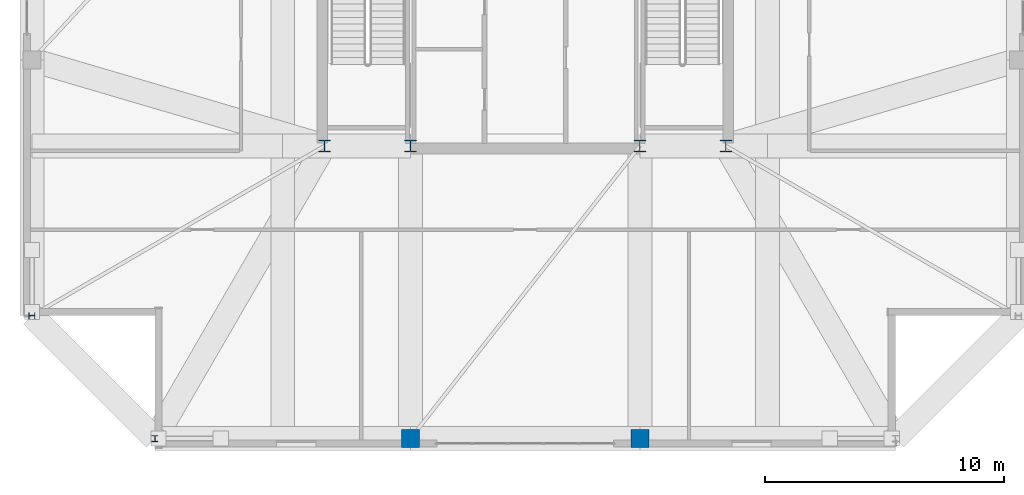
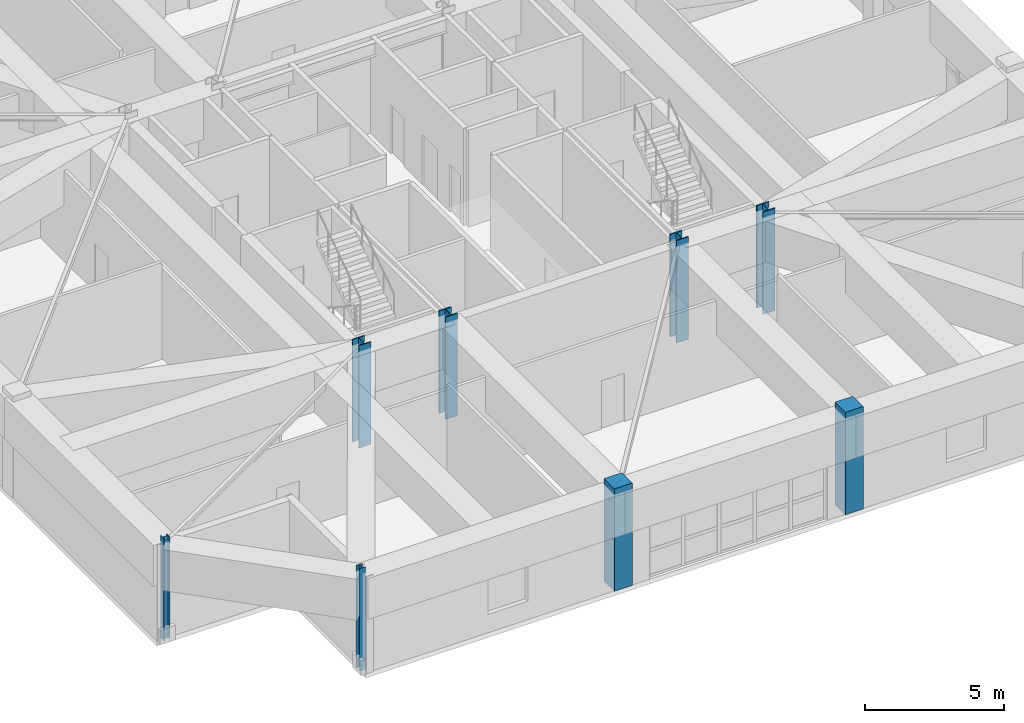
# One storey, part 1 of 17: 8 columns.
"""IFC4 building model written with IfcOpenShell, lengths in metres."""

from ifc_helpers import new_model, si_unit, direction, frame, origin, origin_2d, place, context, subcontext, project, spatial, rectangle, i_section, extrude, material, material_profile, profile_set, type_object, element, save


model = new_model("IFC4")

# Units and contexts
model_context = context("Model", 3, precision=1e-05, world=origin(), true_north=direction((0.0, 1.0)))
body_context = subcontext(model_context, "Body", "Model", "MODEL_VIEW")
ifc_project = project(units=[si_unit("LENGTHUNIT", "METRE"), si_unit("AREAUNIT", "SQUARE_METRE"), si_unit("VOLUMEUNIT", "CUBIC_METRE"), si_unit("PLANEANGLEUNIT", "RADIAN"), si_unit("MASSUNIT", "GRAM", prefix="KILO")], contexts=[model_context])

# Site, building, storey
site_placement = place(None, origin())
site = spatial("IfcSite", under=ifc_project, at=site_placement, CompositionType="ELEMENT")
building_placement = place(site_placement, origin())
building = spatial("IfcBuilding", under=site, at=building_placement, Name="Cairnveth Concourse Tower", CompositionType="ELEMENT")
storey_placement = place(building_placement, frame((0.0, 0.0, 320.0)))
storey = spatial("IfcBuildingStorey", under=building, at=storey_placement, Name="L88", CompositionType="ELEMENT", Elevation=320.0)

# Columns
ifc_material_1 = material(Name="Concrete N50 (50 MPa)", Category="concrete")
ifc_material_profile_1 = material_profile(ifc_material_1, rectangle(XDim=0.75, YDim=0.75, at=origin_2d()), Name="RC-COL-750x750")
ifc_profile_set_1 = profile_set([ifc_material_profile_1], Name="Concrete N50 (50 MPa)")
column_type_1 = type_object("IfcColumnType", Name="PERIMETER PIER COLUMN 750X750", PredefinedType="COLUMN", material=ifc_profile_set_1)
for number, where, z_axis, x_axis, name in (
    (1, (47.199951171875, 18.35009765625, 0.0), (0.0, 0.0, 1.0), (1.0, 0.0, 0.0), "Column P-S2 L88"),
    (2, (56.800048828125, 18.35009765625, 0.0), (0.0, 0.0, 1.0), (1.0, 0.0, 0.0), "Column P-S3 L88"),
):
    element("IfcColumn", number, at=place(storey_placement, frame(where, z_axis=z_axis, x_axis=x_axis)), inside=storey, type_object=column_type_1, Name=name, PredefinedType="COLUMN", context=body_context, shape_type="SweptSolid", body=[
        extrude(rectangle(XDim=0.75, YDim=0.75, at=origin_2d()), origin(), (0.0, 0.0, 1.0), 4.5),
    ])
ifc_material_2 = material(Name="Steel Grade 350", Category="steel")
ifc_material_profile_2 = material_profile(ifc_material_2, i_section(OverallWidth=0.25390625, OverallDepth=0.25390625, WebThickness=0.008544921875, FlangeThickness=0.01416015625, FilletRadius=0.012939453125, at=origin_2d()), Name="250UC72.9")
ifc_profile_set_2 = profile_set([ifc_material_profile_2], Name="Steel Grade 350")
column_type_2 = type_object("IfcColumnType", Name="UNIVERSAL STEEL COLUMN 250UC72.9", PredefinedType="COLUMN", material=ifc_profile_set_2)
for number, where, z_axis, x_axis, name in (
    (3, (36.5, 18.35009765625, 0.0), (0.0, 0.0, 1.0), (1.0, 0.0, 0.0), "Column P-S1 L88"),
    (4, (31.35009765625, 23.5, 0.0), (0.0, 0.0, 1.0), (0.0, 1.0, 0.0), "Column P-W4 L88"),
):
    element("IfcColumn", number, at=place(storey_placement, frame(where, z_axis=z_axis, x_axis=x_axis)), inside=storey, type_object=column_type_2, Name=name, PredefinedType="COLUMN", context=body_context, shape_type="SweptSolid", body=[
        extrude(i_section(OverallWidth=0.25390625, OverallDepth=0.25390625, WebThickness=0.008544921875, FlangeThickness=0.01416015625, FilletRadius=0.012939453125, at=origin_2d()), origin(), (0.0, 0.0, 1.0), 4.5),
    ])
ifc_material_profile_3 = material_profile(ifc_material_2, i_section(OverallWidth=0.5, OverallDepth=0.5, WebThickness=0.028076171875, FlangeThickness=0.044921875, at=origin_2d()), Name="500WC383")
ifc_profile_set_3 = profile_set([ifc_material_profile_3], Name="Steel Grade 350")
column_type_3 = type_object("IfcColumnType", Name="WELDED STEEL COLUMN 500WC383", PredefinedType="COLUMN", material=ifc_profile_set_3)
for number, where, z_axis, x_axis, name in (
    (5, (43.60009765625, 30.60009765625, 0.0), (0.0, 0.0, 1.0), (1.0, 0.0, 0.0), "Column CC1 L88"),
    (6, (47.199951171875, 30.60009765625, 0.0), (0.0, 0.0, 1.0), (1.0, 0.0, 0.0), "Column CC2 L88"),
    (7, (56.800048828125, 30.60009765625, 0.0), (0.0, 0.0, 1.0), (1.0, 0.0, 0.0), "Column CC3 L88"),
    (8, (60.39990234375, 30.60009765625, 0.0), (0.0, 0.0, 1.0), (1.0, 0.0, 0.0), "Column CC4 L88"),
):
    element("IfcColumn", number, at=place(storey_placement, frame(where, z_axis=z_axis, x_axis=x_axis)), inside=storey, type_object=column_type_3, Name=name, PredefinedType="COLUMN", context=body_context, shape_type="SweptSolid", body=[
        extrude(i_section(OverallWidth=0.5, OverallDepth=0.5, WebThickness=0.028076171875, FlangeThickness=0.044921875, at=origin_2d()), origin(), (0.0, 0.0, 1.0), 4.5),
    ])

save(model, "model.ifc")
